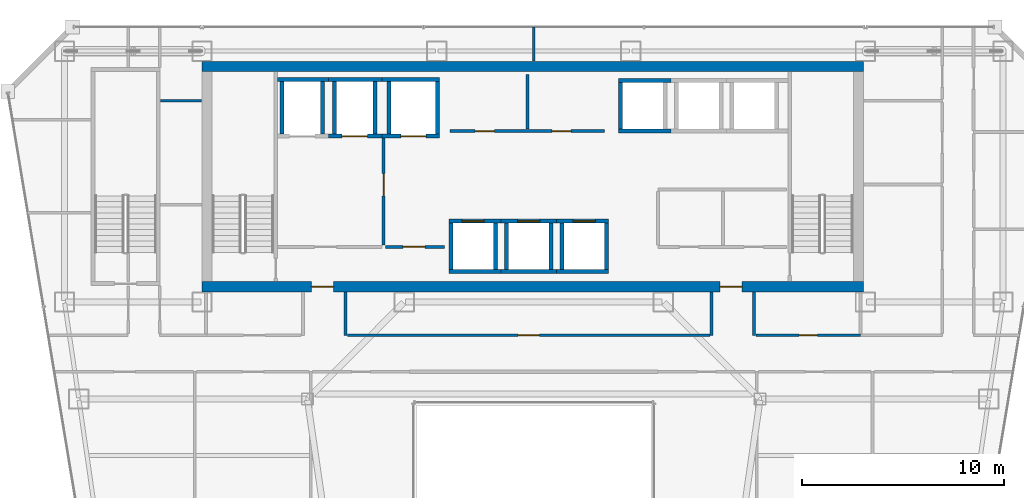
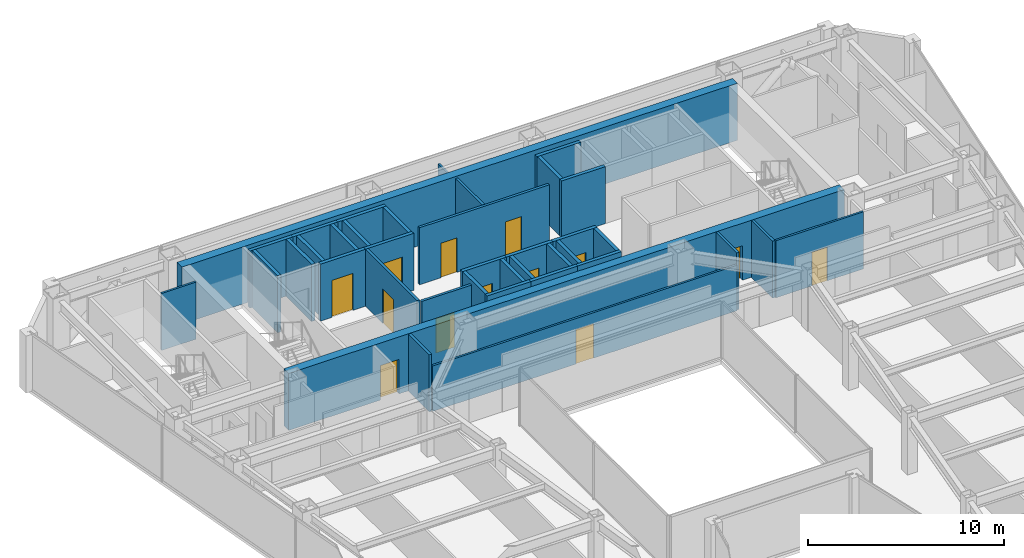
# One storey, part 33 of 38: 39 walls, 13 doors, 13 openings.
"""IFC4 building model written with IfcOpenShell, lengths in metres."""

from ifc_helpers import new_model, si_unit, direction, frame, frame_2d, origin, place, context, subcontext, project, spatial, rectangle, extrude, material, layer, layer_set, type_object, element, fill, save


model = new_model("IFC4")

# Units and contexts
model_context = context("Model", 3, precision=1e-05, world=origin(), true_north=direction((0.0, 1.0)))
body_context = subcontext(model_context, "Body", "Model", "MODEL_VIEW")
ifc_project = project(units=[si_unit("LENGTHUNIT", "METRE"), si_unit("AREAUNIT", "SQUARE_METRE"), si_unit("VOLUMEUNIT", "CUBIC_METRE"), si_unit("PLANEANGLEUNIT", "RADIAN"), si_unit("MASSUNIT", "GRAM", prefix="KILO")], contexts=[model_context])

# Site, building, storey
site_placement = place(None, origin())
site = spatial("IfcSite", under=ifc_project, at=site_placement, CompositionType="ELEMENT")
building_placement = place(site_placement, origin())
building = spatial("IfcBuilding", under=site, at=building_placement, Name="Saevonmaru Cultural Tower", CompositionType="ELEMENT")
storey_placement = place(building_placement, frame((0.0, 0.0, 133.39990234375)))
storey = spatial("IfcBuildingStorey", under=building, at=storey_placement, Name="L28", CompositionType="ELEMENT", Elevation=133.39990234375)

# Wall, openings, doors
ifc_material_1 = material(Name="Concrete C60/75", Category="concrete")
ifc_layer_1 = layer(ifc_material_1, 0.5, Name="Concrete C60/75")
ifc_layer_set_1 = layer_set([ifc_layer_1], Name="Concrete C60/75")
wall_type_1 = type_object("IfcWallType", Name="WL-CORE-500", PredefinedType="SHEAR", material=ifc_layer_set_1)
wall_1_placement = place(storey_placement, frame((13.60009765625, 43.14990234375, 0.0), z_axis=(0.0, 0.0, 1.0), x_axis=(1.0, 0.0, 0.0)))
wall_1 = element("IfcWall", 1, at=wall_1_placement, inside=storey, type_object=wall_type_1, Name="L28 Tower RC core shear wall S", PredefinedType="SHEAR", context=body_context, shape_type="SweptSolid", body=[
    extrude(rectangle(XDim=32.699951171875, YDim=0.5, at=frame_2d((16.35009765625, 0.0))), origin(), (0.0, 0.0, 1.0), 3.550048828125),
])
opening_1_placement = place(wall_1_placement, frame((5.39990234375, 0.0, 0.0)))
opening_1 = element("IfcOpeningElement", 2, at=opening_1_placement, cuts=wall_1, Name="Opening FD-2", PredefinedType="OPENING", context=body_context, shape_type="SweptSolid", body=[
    extrude(rectangle(XDim=1.10009765625, YDim=2.14990234375, at=frame_2d((0.550048828125, 1.074951171875))), frame((0.0, 0.260009765625, 0.0), z_axis=(0.0, -1.0, 0.0), x_axis=(1.0, 0.0, 0.0)), (0.0, 0.0, 1.0), 0.52001953125),
])
opening_2_placement = place(wall_1_placement, frame((25.60009765625, 0.0, 0.0)))
opening_2 = element("IfcOpeningElement", 3, at=opening_2_placement, cuts=wall_1, Name="Opening FD-2", PredefinedType="OPENING", context=body_context, shape_type="SweptSolid", body=[
    extrude(rectangle(XDim=1.10009765625, YDim=2.14990234375, at=frame_2d((0.550048828125, 1.074951171875))), frame((0.0, 0.260009765625, 0.0), z_axis=(0.0, -1.0, 0.0), x_axis=(1.0, 0.0, 0.0)), (0.0, 0.0, 1.0), 0.52001953125),
])
ifc_material_2 = material(Name="Satin Bronze Anodised Aluminium", Category="aluminium")
door_type_1 = type_object("IfcDoorType", Name="DR-FD60-1100", OperationType="SINGLE_SWING_LEFT", PredefinedType="DOOR", material=ifc_material_2)
door_1_placement = place(opening_1_placement, origin())
door_1 = element("IfcDoor", 4, at=door_1_placement, inside=storey, type_object=door_type_1, Name="L28 Core West Lobby Fire Door", OperationType="SINGLE_SWING_LEFT", OverallHeight=2.14990234375, OverallWidth=1.10009765625, PredefinedType="DOOR", context=body_context, shape_type="SweptSolid", body=[
    extrude(rectangle(XDim=1.10009765625, YDim=2.14990234375, at=frame_2d((0.550048828125, 1.074951171875))), frame((0.0, 0.02490234375, 0.0), z_axis=(0.0, -1.0, 0.0), x_axis=(1.0, 0.0, 0.0)), (0.0, 0.0, 1.0), 0.050048828125),
])
fill(opening_1, door_1)
door_2_placement = place(opening_2_placement, origin())
door_2 = element("IfcDoor", 5, at=door_2_placement, inside=storey, type_object=door_type_1, Name="L28 Core East Lobby Fire Door", OperationType="SINGLE_SWING_LEFT", OverallHeight=2.14990234375, OverallWidth=1.10009765625, PredefinedType="DOOR", context=body_context, shape_type="SweptSolid", body=[
    extrude(rectangle(XDim=1.10009765625, YDim=2.14990234375, at=frame_2d((0.550048828125, 1.074951171875))), frame((0.0, 0.02490234375, 0.0), z_axis=(0.0, -1.0, 0.0), x_axis=(1.0, 0.0, 0.0)), (0.0, 0.0, 1.0), 0.050048828125),
])
fill(opening_2, door_2)

# Wall
wall_2_placement = place(storey_placement, frame((13.60009765625, 54.050048828125, 0.0), z_axis=(0.0, 0.0, 1.0), x_axis=(1.0, 0.0, 0.0)))
element("IfcWall", 6, at=wall_2_placement, inside=storey, type_object=wall_type_1, Name="L28 Tower RC core shear wall N", PredefinedType="SHEAR", context=body_context, shape_type="SweptSolid", body=[
    extrude(rectangle(XDim=32.699951171875, YDim=0.5, at=frame_2d((16.35009765625, 0.0))), origin(), (0.0, 0.0, 1.0), 3.550048828125),
])

# Wall, opening, door
ifc_material_3 = material(Name="Gypsum Fireboard Partition", Category="gypsum")
ifc_layer_2 = layer(ifc_material_3, 0.14990234375, Name="Gypsum Fireboard Partition")
ifc_layer_set_2 = layer_set([ifc_layer_2], Name="Gypsum Fireboard Partition")
wall_type_2 = type_object("IfcWallType", Name="WL-CORE-PART-150", PredefinedType="PARTITIONING", material=ifc_layer_set_2)
wall_3_placement = place(storey_placement, frame((22.580078125, 50.550048828125, 0.0), z_axis=(0.0, 0.0, 1.0), x_axis=(0.0, -1.0, 0.0)))
wall_3 = element("IfcWall", 7, at=wall_3_placement, inside=storey, type_object=wall_type_2, Name="L28 Firefighting Lift Lobby East Wall", PredefinedType="PARTITIONING", context=body_context, shape_type="SweptSolid", body=[
    extrude(rectangle(XDim=5.330078125, YDim=0.14990234375, at=frame_2d((2.6650390625, 0.0))), origin(), (0.0, 0.0, 1.0), 3.550048828125),
])
opening_3_placement = place(wall_3_placement, frame((1.800048828125, 0.0, 0.0)))
opening_3 = element("IfcOpeningElement", 8, at=opening_3_placement, cuts=wall_3, Name="Opening FD-2", PredefinedType="OPENING", context=body_context, shape_type="SweptSolid", body=[
    extrude(rectangle(XDim=1.10009765625, YDim=2.14990234375, at=frame_2d((0.550048828125, 1.074951171875))), frame((0.0, 0.0849609375, 0.0), z_axis=(0.0, -1.0, 0.0), x_axis=(1.0, 0.0, 0.0)), (0.0, 0.0, 1.0), 0.169921875),
])
door_3_placement = place(opening_3_placement, origin())
door_3 = element("IfcDoor", 9, at=door_3_placement, inside=storey, type_object=door_type_1, Name="L28 Firefighting Lift Lobby East Door", OperationType="SINGLE_SWING_LEFT", OverallHeight=2.14990234375, OverallWidth=1.10009765625, PredefinedType="DOOR", context=body_context, shape_type="SweptSolid", body=[
    extrude(rectangle(XDim=1.10009765625, YDim=2.14990234375, at=frame_2d((0.550048828125, 1.074951171875))), frame((0.0, 0.02490234375, 0.0), z_axis=(0.0, -1.0, 0.0), x_axis=(1.0, 0.0, 0.0)), (0.0, 0.0, 1.0), 0.050048828125),
])
fill(opening_3, door_3)

wall_4_placement = place(storey_placement, frame((22.679931640625, 45.1201171875, 0.0), z_axis=(0.0, 0.0, 1.0), x_axis=(1.0, 0.0, 0.0)))
wall_4 = element("IfcWall", 10, at=wall_4_placement, inside=storey, type_object=wall_type_2, Name="L28 Service Lift Vestibule Wall", PredefinedType="PARTITIONING", context=body_context, shape_type="SweptSolid", body=[
    extrude(rectangle(XDim=2.920166015625, YDim=0.14990234375, at=frame_2d((1.4599609375, 0.0))), origin(), (0.0, 0.0, 1.0), 3.550048828125),
])
opening_4_placement = place(wall_4_placement, frame((0.85009765625, 0.0, 0.0)))
opening_4 = element("IfcOpeningElement", 11, at=opening_4_placement, cuts=wall_4, Name="Opening FD-2", PredefinedType="OPENING", context=body_context, shape_type="SweptSolid", body=[
    extrude(rectangle(XDim=1.10009765625, YDim=2.14990234375, at=frame_2d((0.550048828125, 1.074951171875))), frame((0.0, 0.0849609375, 0.0), z_axis=(0.0, -1.0, 0.0), x_axis=(1.0, 0.0, 0.0)), (0.0, 0.0, 1.0), 0.169921875),
])
door_4_placement = place(opening_4_placement, origin())
door_4 = element("IfcDoor", 12, at=door_4_placement, inside=storey, type_object=door_type_1, Name="L28 Service Lift Vestibule Door", OperationType="SINGLE_SWING_LEFT", OverallHeight=2.14990234375, OverallWidth=1.10009765625, PredefinedType="DOOR", context=body_context, shape_type="SweptSolid", body=[
    extrude(rectangle(XDim=1.10009765625, YDim=2.14990234375, at=frame_2d((0.550048828125, 1.074951171875))), frame((0.0, 0.02490234375, 0.0), z_axis=(0.0, -1.0, 0.0), x_axis=(1.0, 0.0, 0.0)), (0.0, 0.0, 1.0), 0.050048828125),
])
fill(opening_4, door_4)

# Wall, openings, doors
wall_5_placement = place(storey_placement, frame((25.85009765625, 50.85009765625, 0.0), z_axis=(0.0, 0.0, 1.0), x_axis=(1.0, 0.0, 0.0)))
wall_5 = element("IfcWall", 13, at=wall_5_placement, inside=storey, type_object=wall_type_2, Name="L28 Reclaimed Core Room South Wall", PredefinedType="PARTITIONING", context=body_context, shape_type="SweptSolid", body=[
    extrude(rectangle(XDim=7.64990234375, YDim=0.14990234375, at=frame_2d((3.824951171875, 0.0))), origin(), (0.0, 0.0, 1.0), 3.550048828125),
])
opening_5_placement = place(wall_5_placement, frame((1.25, 0.0, 0.0)))
opening_5 = element("IfcOpeningElement", 14, at=opening_5_placement, cuts=wall_5, Name="Opening FD-4", PredefinedType="OPENING", context=body_context, shape_type="SweptSolid", body=[
    extrude(rectangle(XDim=0.949951171875, YDim=2.14990234375, at=frame_2d((0.47509765625, 1.074951171875))), frame((0.0, 0.0849609375, 0.0), z_axis=(0.0, -1.0, 0.0), x_axis=(1.0, 0.0, 0.0)), (0.0, 0.0, 1.0), 0.169921875),
])
opening_6_placement = place(wall_5_placement, frame((5.050048828125, 0.0, 0.0)))
opening_6 = element("IfcOpeningElement", 15, at=opening_6_placement, cuts=wall_5, Name="Opening FD-4", PredefinedType="OPENING", context=body_context, shape_type="SweptSolid", body=[
    extrude(rectangle(XDim=0.949951171875, YDim=2.14990234375, at=frame_2d((0.47509765625, 1.074951171875))), frame((0.0, 0.0849609375, 0.0), z_axis=(0.0, -1.0, 0.0), x_axis=(1.0, 0.0, 0.0)), (0.0, 0.0, 1.0), 0.169921875),
])
door_type_2 = type_object("IfcDoorType", Name="DR-FD60-950", OperationType="SINGLE_SWING_LEFT", PredefinedType="DOOR", material=ifc_material_2)
door_5_placement = place(opening_5_placement, origin())
door_5 = element("IfcDoor", 16, at=door_5_placement, inside=storey, type_object=door_type_2, Name="L28 Reclaimed Archive Vault Door", OperationType="SINGLE_SWING_LEFT", OverallHeight=2.14990234375, OverallWidth=0.949951171875, PredefinedType="DOOR", context=body_context, shape_type="SweptSolid", body=[
    extrude(rectangle(XDim=0.949951171875, YDim=2.14990234375, at=frame_2d((0.47509765625, 1.074951171875))), frame((0.0, 0.02490234375, 0.0), z_axis=(0.0, -1.0, 0.0), x_axis=(1.0, 0.0, 0.0)), (0.0, 0.0, 1.0), 0.050048828125),
])
fill(opening_5, door_5)
door_6_placement = place(opening_6_placement, origin())
door_6 = element("IfcDoor", 17, at=door_6_placement, inside=storey, type_object=door_type_2, Name="L28 Reclaimed Conservation Storage Door", OperationType="SINGLE_SWING_LEFT", OverallHeight=2.14990234375, OverallWidth=0.949951171875, PredefinedType="DOOR", context=body_context, shape_type="SweptSolid", body=[
    extrude(rectangle(XDim=0.949951171875, YDim=2.14990234375, at=frame_2d((0.47509765625, 1.074951171875))), frame((0.0, 0.02490234375, 0.0), z_axis=(0.0, -1.0, 0.0), x_axis=(1.0, 0.0, 0.0)), (0.0, 0.0, 1.0), 0.050048828125),
])
fill(opening_6, door_6)

# Walls
wall_6_placement = place(storey_placement, frame((29.699951171875, 50.949951171875, 0.0), z_axis=(0.0, 0.0, 1.0), x_axis=(0.0, 1.0, 0.0)))
element("IfcWall", 18, at=wall_6_placement, inside=storey, type_object=wall_type_2, Name="L28 Reclaimed Vault Split", PredefinedType="PARTITIONING", context=body_context, shape_type="SweptSolid", body=[
    extrude(rectangle(XDim=2.699951171875, YDim=0.14990234375, at=frame_2d((1.35009765625, 0.0))), origin(), (0.0, 0.0, 1.0), 3.550048828125),
])
ifc_layer_3 = layer(ifc_material_3, 0.14990234375, Name="Gypsum Fireboard Partition")
ifc_layer_set_3 = layer_set([ifc_layer_3], Name="Gypsum Fireboard Partition")
wall_type_3 = type_object("IfcWallType", Name="WL-PART-FIRE-150", PredefinedType="PARTITIONING", material=ifc_layer_set_3)
for number, where, z_axis, x_axis, name in (
    (19, (20.699951171875, 40.75, 0.0), (0.0, 0.0, 1.0), (0.0, 1.0, 0.0), "L28 Core Portal Side Wall W2"),
    (20, (38.800048828125, 40.75, 0.0), (0.0, 0.0, 1.0), (0.0, 1.0, 0.0), "L28 Core Portal Side Wall E1"),
    (21, (40.89990234375, 40.75, 0.0), (0.0, 0.0, 1.0), (0.0, 1.0, 0.0), "L28 Core Portal Side Wall E2"),
):
    element("IfcWall", number, at=place(storey_placement, frame(where, z_axis=z_axis, x_axis=x_axis)), inside=storey, type_object=wall_type_3, Name=name, PredefinedType="PARTITIONING", context=body_context, shape_type="SweptSolid", body=[
        extrude(rectangle(XDim=2.1298828125, YDim=0.14990234375, at=frame_2d((1.06494140625, 0.0))), origin(), (0.0, 0.0, 1.0), 3.550048828125),
    ])
ifc_layer_4 = layer(ifc_material_3, 0.1201171875, Name="Gypsum Fireboard Partition")
ifc_layer_set_4 = layer_set([ifc_layer_4], Name="Gypsum Fireboard Partition")
wall_type_4 = type_object("IfcWallType", Name="WL-PART-GYP-120", PredefinedType="PARTITIONING", material=ifc_layer_set_4)
wall_7_placement = place(storey_placement, frame((11.550048828125, 52.35009765625, 0.0), z_axis=(0.0, 0.0, 1.0), x_axis=(1.0, 0.0, 0.0)))
element("IfcWall", 22, at=wall_7_placement, inside=storey, type_object=wall_type_4, Name="L28 North-West Panorama South Wall", PredefinedType="PARTITIONING", context=body_context, shape_type="SweptSolid", body=[
    extrude(rectangle(XDim=2.030029296875, YDim=0.1201171875, at=frame_2d((1.01513671875, 0.0))), origin(), (0.0, 0.0, 1.0), 3.550048828125),
])
wall_8_placement = place(storey_placement, frame((30.0, 54.320068359375, 0.0), z_axis=(0.0, 0.0, 1.0), x_axis=(0.0, 1.0, 0.0)))
element("IfcWall", 23, at=wall_8_placement, inside=storey, type_object=wall_type_4, Name="L28 North Panorama Center Split", PredefinedType="PARTITIONING", context=body_context, shape_type="SweptSolid", body=[
    extrude(rectangle(XDim=1.675048828125, YDim=0.1201171875, at=frame_2d((0.83740234375, 0.0))), origin(), (0.0, 0.0, 1.0), 2.93505859375),
])

# Wall, opening, door
wall_9_placement = place(storey_placement, frame((20.794921875, 40.75, 0.0), z_axis=(0.0, 0.0, 1.0), x_axis=(1.0, 0.0, 0.0)))
wall_9 = element("IfcWall", 24, at=wall_9_placement, inside=storey, type_object=wall_type_4, Name="L28 Art History Reading Room Corridor Wall", PredefinedType="PARTITIONING", context=body_context, shape_type="SweptSolid", body=[
    extrude(rectangle(XDim=17.91015625, YDim=0.1201171875, at=frame_2d((8.955078125, 0.0))), origin(), (0.0, 0.0, 1.0), 2.835205078125),
])
opening_7_placement = place(wall_9_placement, frame((8.429931640625, 0.0, 0.0)))
opening_7 = element("IfcOpeningElement", 25, at=opening_7_placement, cuts=wall_9, Name="Opening ID-1", PredefinedType="OPENING", context=body_context, shape_type="SweptSolid", body=[
    extrude(rectangle(XDim=1.050048828125, YDim=2.14990234375, at=frame_2d((0.52490234375, 1.074951171875))), frame((0.0, 0.070068359375, 0.0), z_axis=(0.0, -1.0, 0.0), x_axis=(1.0, 0.0, 0.0)), (0.0, 0.0, 1.0), 0.14013671875),
])
door_type_3 = type_object("IfcDoorType", Name="DR-INT-1050", OperationType="SINGLE_SWING_LEFT", PredefinedType="DOOR", material=ifc_material_2)
door_7_placement = place(opening_7_placement, origin())
door_7 = element("IfcDoor", 26, at=door_7_placement, inside=storey, type_object=door_type_3, Name="L28 Art History Reading Room Door", OperationType="SINGLE_SWING_LEFT", OverallHeight=2.14990234375, OverallWidth=1.050048828125, PredefinedType="DOOR", context=body_context, shape_type="SweptSolid", body=[
    extrude(rectangle(XDim=1.050048828125, YDim=2.14990234375, at=frame_2d((0.52490234375, 1.074951171875))), frame((0.0, 0.02490234375, 0.0), z_axis=(0.0, -1.0, 0.0), x_axis=(1.0, 0.0, 0.0)), (0.0, 0.0, 1.0), 0.050048828125),
])
fill(opening_7, door_7)

wall_10_placement = place(storey_placement, frame((40.9951171875, 40.75, 0.0), z_axis=(0.0, 0.0, 1.0), x_axis=(1.0, 0.0, 0.0)))
wall_10 = element("IfcWall", 27, at=wall_10_placement, inside=storey, type_object=wall_type_4, Name="L28 Typography Design Classroom Corridor Wall", PredefinedType="PARTITIONING", context=body_context, shape_type="SweptSolid", body=[
    extrude(rectangle(XDim=5.15478515625, YDim=0.1201171875, at=frame_2d((2.577392578125, 0.0))), origin(), (0.0, 0.0, 1.0), 3.550048828125),
])
opening_8_placement = place(wall_10_placement, frame((2.1279296875, 0.0, 0.0)))
opening_8 = element("IfcOpeningElement", 28, at=opening_8_placement, cuts=wall_10, Name="Opening ID-2", PredefinedType="OPENING", context=body_context, shape_type="SweptSolid", body=[
    extrude(rectangle(XDim=0.89990234375, YDim=2.10009765625, at=frame_2d((0.449951171875, 1.050048828125))), frame((0.0, 0.070068359375, 0.0), z_axis=(0.0, -1.0, 0.0), x_axis=(1.0, 0.0, 0.0)), (0.0, 0.0, 1.0), 0.14013671875),
])
ifc_material_4 = material(Name="Acoustic Stained Oak Timber", Category="wood")
door_type_4 = type_object("IfcDoorType", Name="DR-INT-900", OperationType="SINGLE_SWING_RIGHT", PredefinedType="DOOR", material=ifc_material_4)
door_8_placement = place(opening_8_placement, origin())
door_8 = element("IfcDoor", 29, at=door_8_placement, inside=storey, type_object=door_type_4, Name="L28 Typography Design Classroom Door", OperationType="SINGLE_SWING_RIGHT", OverallHeight=2.10009765625, OverallWidth=0.89990234375, PredefinedType="DOOR", context=body_context, shape_type="SweptSolid", body=[
    extrude(rectangle(XDim=0.89990234375, YDim=2.10009765625, at=frame_2d((0.449951171875, 1.050048828125))), frame((0.0, 0.02490234375, 0.0), z_axis=(0.0, -1.0, 0.0), x_axis=(1.0, 0.0, 0.0)), (0.0, 0.0, 1.0), 0.050048828125),
])
fill(opening_8, door_8)

# Walls
ifc_material_5 = material(Name="Concrete C40/50", Category="concrete")
ifc_layer_5 = layer(ifc_material_5, 0.199951171875, Name="Concrete C40/50")
ifc_layer_set_5 = layer_set([ifc_layer_5], Name="Concrete C40/50")
wall_type_5 = type_object("IfcWallType", Name="WL-SHAFT-200", PredefinedType="SHEAR", material=ifc_layer_set_5)
wall_11_placement = place(storey_placement, frame((17.330078125, 53.39990234375, 0.0), z_axis=(0.0, 0.0, 1.0), x_axis=(1.0, 0.0, 0.0)))
element("IfcWall", 30, at=wall_11_placement, inside=storey, type_object=wall_type_5, Name="L28 Lift FFL-1 Hoistway Wall N", PredefinedType="SHEAR", context=body_context, shape_type="SweptSolid", body=[
    extrude(rectangle(XDim=2.52001953125, YDim=0.199951171875, at=frame_2d((1.260009765625, 0.0))), origin(), (0.0, 0.0, 1.0), 3.550048828125),
])
for number, where, z_axis, x_axis, name in (
    (31, (17.550048828125, 50.699951171875, 0.0), (0.0, 0.0, 1.0), (0.0, 1.0, 0.0), "L28 Lift FFL-1 Hoistway Wall W"),
    (32, (19.550048828125, 50.699951171875, 0.0), (0.0, 0.0, 1.0), (0.0, 1.0, 0.0), "L28 Lift FFL-1 Hoistway Wall E"),
):
    element("IfcWall", number, at=place(storey_placement, frame(where, z_axis=z_axis, x_axis=x_axis)), inside=storey, type_object=wall_type_5, Name=name, PredefinedType="SHEAR", context=body_context, shape_type="SweptSolid", body=[
        extrude(rectangle(XDim=2.60009765625, YDim=0.199951171875, at=frame_2d((1.300048828125, 0.0))), origin(), (0.0, 0.0, 1.0), 3.550048828125),
    ])

# Wall, opening, door
wall_12_placement = place(storey_placement, frame((19.85009765625, 50.60009765625, 0.0), z_axis=(0.0, 0.0, 1.0), x_axis=(1.0, 0.0, 0.0)))
wall_12 = element("IfcWall", 33, at=wall_12_placement, inside=storey, type_object=wall_type_5, Name="L28 Lift FFL-2 Hoistway Wall S", PredefinedType="SHEAR", context=body_context, shape_type="SweptSolid", body=[
    extrude(rectangle(XDim=2.64990234375, YDim=0.199951171875, at=frame_2d((1.324951171875, 0.0))), origin(), (0.0, 0.0, 1.0), 3.550048828125),
])
opening_9_placement = place(wall_12_placement, frame((0.675048828125, 0.0, 0.0)))
opening_9 = element("IfcOpeningElement", 34, at=opening_9_placement, cuts=wall_12, Name="Opening LD-2", PredefinedType="OPENING", context=body_context, shape_type="SweptSolid", body=[
    extrude(rectangle(XDim=1.25, YDim=2.300048828125, at=frame_2d((0.625, 1.14990234375))), frame((0.0, 0.10986328125, 0.0), z_axis=(0.0, -1.0, 0.0), x_axis=(1.0, 0.0, 0.0)), (0.0, 0.0, 1.0), 0.219970703125),
])
ifc_material_6 = material(Name="Stainless Steel 316", Category="steel")
door_type_5 = type_object("IfcDoorType", Name="DR-LIFT-1250", OperationType="SLIDING_TO_LEFT", PredefinedType="DOOR", material=ifc_material_6)
door_9_placement = place(opening_9_placement, origin())
door_9 = element("IfcDoor", 35, at=door_9_placement, inside=storey, type_object=door_type_5, Name="L28 Lift FFL-2 Sliding Landing Door", OperationType="SLIDING_TO_LEFT", OverallHeight=2.300048828125, OverallWidth=1.25, PredefinedType="DOOR", context=body_context, shape_type="SweptSolid", body=[
    extrude(rectangle(XDim=1.25, YDim=2.300048828125, at=frame_2d((0.625, 1.14990234375))), frame((0.0, 0.02490234375, 0.0), z_axis=(0.0, -1.0, 0.0), x_axis=(1.0, 0.0, 0.0)), (0.0, 0.0, 1.0), 0.050048828125),
])
fill(opening_9, door_9)

# Walls
wall_13_placement = place(storey_placement, frame((19.85009765625, 53.39990234375, 0.0), z_axis=(0.0, 0.0, 1.0), x_axis=(1.0, 0.0, 0.0)))
element("IfcWall", 36, at=wall_13_placement, inside=storey, type_object=wall_type_5, Name="L28 Lift FFL-2 Hoistway Wall N", PredefinedType="SHEAR", context=body_context, shape_type="SweptSolid", body=[
    extrude(rectangle(XDim=2.64990234375, YDim=0.199951171875, at=frame_2d((1.324951171875, 0.0))), origin(), (0.0, 0.0, 1.0), 3.550048828125),
])
for number, where, z_axis, x_axis, name in (
    (37, (20.14990234375, 50.699951171875, 0.0), (0.0, 0.0, 1.0), (0.0, 1.0, 0.0), "L28 Lift FFL-2 Hoistway Wall W"),
    (38, (22.14990234375, 50.699951171875, 0.0), (0.0, 0.0, 1.0), (0.0, 1.0, 0.0), "L28 Lift FFL-2 Hoistway Wall E"),
):
    element("IfcWall", number, at=place(storey_placement, frame(where, z_axis=z_axis, x_axis=x_axis)), inside=storey, type_object=wall_type_5, Name=name, PredefinedType="SHEAR", context=body_context, shape_type="SweptSolid", body=[
        extrude(rectangle(XDim=2.60009765625, YDim=0.199951171875, at=frame_2d((1.300048828125, 0.0))), origin(), (0.0, 0.0, 1.0), 3.550048828125),
    ])

# Wall, opening, door
wall_14_placement = place(storey_placement, frame((22.5, 50.60009765625, 0.0), z_axis=(0.0, 0.0, 1.0), x_axis=(1.0, 0.0, 0.0)))
wall_14 = element("IfcWall", 39, at=wall_14_placement, inside=storey, type_object=wall_type_5, Name="L28 Lift GL-1 Hoistway Wall S", PredefinedType="SHEAR", context=body_context, shape_type="SweptSolid", body=[
    extrude(rectangle(XDim=2.85009765625, YDim=0.199951171875, at=frame_2d((1.425048828125, 0.0))), origin(), (0.0, 0.0, 1.0), 3.550048828125),
])
opening_10_placement = place(wall_14_placement, frame((0.925048828125, 0.0, 0.0)))
opening_10 = element("IfcOpeningElement", 40, at=opening_10_placement, cuts=wall_14, Name="Opening LD-2", PredefinedType="OPENING", context=body_context, shape_type="SweptSolid", body=[
    extrude(rectangle(XDim=1.25, YDim=2.300048828125, at=frame_2d((0.625, 1.14990234375))), frame((0.0, 0.10986328125, 0.0), z_axis=(0.0, -1.0, 0.0), x_axis=(1.0, 0.0, 0.0)), (0.0, 0.0, 1.0), 0.219970703125),
])
door_10_placement = place(opening_10_placement, origin())
door_10 = element("IfcDoor", 41, at=door_10_placement, inside=storey, type_object=door_type_5, Name="L28 Lift GL-1 Sliding Landing Door", OperationType="SLIDING_TO_LEFT", OverallHeight=2.300048828125, OverallWidth=1.25, PredefinedType="DOOR", context=body_context, shape_type="SweptSolid", body=[
    extrude(rectangle(XDim=1.25, YDim=2.300048828125, at=frame_2d((0.625, 1.14990234375))), frame((0.0, 0.02490234375, 0.0), z_axis=(0.0, -1.0, 0.0), x_axis=(1.0, 0.0, 0.0)), (0.0, 0.0, 1.0), 0.050048828125),
])
fill(opening_10, door_10)

# Walls
wall_15_placement = place(storey_placement, frame((22.5, 53.39990234375, 0.0), z_axis=(0.0, 0.0, 1.0), x_axis=(1.0, 0.0, 0.0)))
element("IfcWall", 42, at=wall_15_placement, inside=storey, type_object=wall_type_5, Name="L28 Lift GL-1 Hoistway Wall N", PredefinedType="SHEAR", context=body_context, shape_type="SweptSolid", body=[
    extrude(rectangle(XDim=2.85009765625, YDim=0.199951171875, at=frame_2d((1.425048828125, 0.0))), origin(), (0.0, 0.0, 1.0), 3.550048828125),
])
for number, where, z_axis, x_axis, name in (
    (43, (22.85009765625, 50.699951171875, 0.0), (0.0, 0.0, 1.0), (0.0, 1.0, 0.0), "L28 Lift GL-1 Hoistway Wall W"),
    (44, (25.25, 50.699951171875, 0.0), (0.0, 0.0, 1.0), (0.0, 1.0, 0.0), "L28 Lift GL-1 Hoistway Wall E"),
):
    element("IfcWall", number, at=place(storey_placement, frame(where, z_axis=z_axis, x_axis=x_axis)), inside=storey, type_object=wall_type_5, Name=name, PredefinedType="SHEAR", context=body_context, shape_type="SweptSolid", body=[
        extrude(rectangle(XDim=2.60009765625, YDim=0.199951171875, at=frame_2d((1.300048828125, 0.0))), origin(), (0.0, 0.0, 1.0), 3.550048828125),
    ])
wall_16_placement = place(storey_placement, frame((25.800048828125, 43.89990234375, 0.0), z_axis=(0.0, 0.0, 1.0), x_axis=(1.0, 0.0, 0.0)))
element("IfcWall", 45, at=wall_16_placement, inside=storey, type_object=wall_type_5, Name="L28 Lift PL-M1 Hoistway Wall S", PredefinedType="SHEAR", context=body_context, shape_type="SweptSolid", body=[
    extrude(rectangle(XDim=2.574951171875, YDim=0.199951171875, at=frame_2d((1.28759765625, 0.0))), origin(), (0.0, 0.0, 1.0), 3.550048828125),
])

# Wall, opening, door
wall_17_placement = place(storey_placement, frame((25.800048828125, 46.39990234375, 0.0), z_axis=(0.0, 0.0, 1.0), x_axis=(1.0, 0.0, 0.0)))
wall_17 = element("IfcWall", 46, at=wall_17_placement, inside=storey, type_object=wall_type_5, Name="L28 Lift PL-M1 Hoistway Wall N", PredefinedType="SHEAR", context=body_context, shape_type="SweptSolid", body=[
    extrude(rectangle(XDim=2.574951171875, YDim=0.199951171875, at=frame_2d((1.28759765625, 0.0))), origin(), (0.0, 0.0, 1.0), 3.550048828125),
])
opening_11_placement = place(wall_17_placement, frame((0.64990234375, 0.0, 0.0)))
opening_11 = element("IfcOpeningElement", 47, at=opening_11_placement, cuts=wall_17, Name="Opening LD-1", PredefinedType="OPENING", context=body_context, shape_type="SweptSolid", body=[
    extrude(rectangle(XDim=1.10009765625, YDim=2.199951171875, at=frame_2d((0.550048828125, 1.10009765625))), frame((0.0, 0.10986328125, 0.0), z_axis=(0.0, -1.0, 0.0), x_axis=(1.0, 0.0, 0.0)), (0.0, 0.0, 1.0), 0.219970703125),
])
ifc_material_7 = material(Name="Satin Bronze Stainless Steel", Category="steel")
door_type_6 = type_object("IfcDoorType", Name="DR-LIFT-1100", OperationType="SLIDING_TO_LEFT", PredefinedType="DOOR", material=ifc_material_7)
door_11_placement = place(opening_11_placement, origin())
door_11 = element("IfcDoor", 48, at=door_11_placement, inside=storey, type_object=door_type_6, Name="L28 Lift PL-M1 Sliding Landing Door", OperationType="SLIDING_TO_LEFT", OverallHeight=2.199951171875, OverallWidth=1.10009765625, PredefinedType="DOOR", context=body_context, shape_type="SweptSolid", body=[
    extrude(rectangle(XDim=1.10009765625, YDim=2.199951171875, at=frame_2d((0.550048828125, 1.10009765625))), frame((0.0, 0.02490234375, 0.0), z_axis=(0.0, -1.0, 0.0), x_axis=(1.0, 0.0, 0.0)), (0.0, 0.0, 1.0), 0.050048828125),
])
fill(opening_11, door_11)

# Walls
for number, where, z_axis, x_axis, name in (
    (49, (25.89990234375, 44.0, 0.0), (0.0, 0.0, 1.0), (0.0, 1.0, 0.0), "L28 Lift PL-M1 Hoistway Wall W"),
    (50, (28.10009765625, 44.0, 0.0), (0.0, 0.0, 1.0), (0.0, 1.0, 0.0), "L28 Lift PL-M1 Hoistway Wall E"),
):
    element("IfcWall", number, at=place(storey_placement, frame(where, z_axis=z_axis, x_axis=x_axis)), inside=storey, type_object=wall_type_5, Name=name, PredefinedType="SHEAR", context=body_context, shape_type="SweptSolid", body=[
        extrude(rectangle(XDim=2.300048828125, YDim=0.199951171875, at=frame_2d((1.14990234375, 0.0))), origin(), (0.0, 0.0, 1.0), 3.550048828125),
    ])
wall_18_placement = place(storey_placement, frame((28.375, 43.89990234375, 0.0), z_axis=(0.0, 0.0, 1.0), x_axis=(1.0, 0.0, 0.0)))
element("IfcWall", 51, at=wall_18_placement, inside=storey, type_object=wall_type_5, Name="L28 Lift PL-M2 Hoistway Wall S", PredefinedType="SHEAR", context=body_context, shape_type="SweptSolid", body=[
    extrude(rectangle(XDim=2.75, YDim=0.199951171875, at=frame_2d((1.375, 0.0))), origin(), (0.0, 0.0, 1.0), 3.550048828125),
])

# Wall, opening, door
wall_19_placement = place(storey_placement, frame((28.375, 46.39990234375, 0.0), z_axis=(0.0, 0.0, 1.0), x_axis=(1.0, 0.0, 0.0)))
wall_19 = element("IfcWall", 52, at=wall_19_placement, inside=storey, type_object=wall_type_5, Name="L28 Lift PL-M2 Hoistway Wall N", PredefinedType="SHEAR", context=body_context, shape_type="SweptSolid", body=[
    extrude(rectangle(XDim=2.75, YDim=0.199951171875, at=frame_2d((1.375, 0.0))), origin(), (0.0, 0.0, 1.0), 3.550048828125),
])
opening_12_placement = place(wall_19_placement, frame((0.824951171875, 0.0, 0.0)))
opening_12 = element("IfcOpeningElement", 53, at=opening_12_placement, cuts=wall_19, Name="Opening LD-1", PredefinedType="OPENING", context=body_context, shape_type="SweptSolid", body=[
    extrude(rectangle(XDim=1.10009765625, YDim=2.199951171875, at=frame_2d((0.550048828125, 1.10009765625))), frame((0.0, 0.10986328125, 0.0), z_axis=(0.0, -1.0, 0.0), x_axis=(1.0, 0.0, 0.0)), (0.0, 0.0, 1.0), 0.219970703125),
])
door_12_placement = place(opening_12_placement, origin())
door_12 = element("IfcDoor", 54, at=door_12_placement, inside=storey, type_object=door_type_6, Name="L28 Lift PL-M2 Sliding Landing Door", OperationType="SLIDING_TO_LEFT", OverallHeight=2.199951171875, OverallWidth=1.10009765625, PredefinedType="DOOR", context=body_context, shape_type="SweptSolid", body=[
    extrude(rectangle(XDim=1.10009765625, YDim=2.199951171875, at=frame_2d((0.550048828125, 1.10009765625))), frame((0.0, 0.02490234375, 0.0), z_axis=(0.0, -1.0, 0.0), x_axis=(1.0, 0.0, 0.0)), (0.0, 0.0, 1.0), 0.050048828125),
])
fill(opening_12, door_12)

# Walls
for number, where, z_axis, x_axis, name in (
    (55, (28.64990234375, 44.0, 0.0), (0.0, 0.0, 1.0), (0.0, 1.0, 0.0), "L28 Lift PL-M2 Hoistway Wall W"),
    (56, (30.85009765625, 44.0, 0.0), (0.0, 0.0, 1.0), (0.0, 1.0, 0.0), "L28 Lift PL-M2 Hoistway Wall E"),
):
    element("IfcWall", number, at=place(storey_placement, frame(where, z_axis=z_axis, x_axis=x_axis)), inside=storey, type_object=wall_type_5, Name=name, PredefinedType="SHEAR", context=body_context, shape_type="SweptSolid", body=[
        extrude(rectangle(XDim=2.300048828125, YDim=0.199951171875, at=frame_2d((1.14990234375, 0.0))), origin(), (0.0, 0.0, 1.0), 3.550048828125),
    ])
wall_20_placement = place(storey_placement, frame((31.125, 43.89990234375, 0.0), z_axis=(0.0, 0.0, 1.0), x_axis=(1.0, 0.0, 0.0)))
element("IfcWall", 57, at=wall_20_placement, inside=storey, type_object=wall_type_5, Name="L28 Lift PL-M3 Hoistway Wall S", PredefinedType="SHEAR", context=body_context, shape_type="SweptSolid", body=[
    extrude(rectangle(XDim=2.574951171875, YDim=0.199951171875, at=frame_2d((1.28759765625, 0.0))), origin(), (0.0, 0.0, 1.0), 3.550048828125),
])

# Wall, opening, door
wall_21_placement = place(storey_placement, frame((31.125, 46.39990234375, 0.0), z_axis=(0.0, 0.0, 1.0), x_axis=(1.0, 0.0, 0.0)))
wall_21 = element("IfcWall", 58, at=wall_21_placement, inside=storey, type_object=wall_type_5, Name="L28 Lift PL-M3 Hoistway Wall N", PredefinedType="SHEAR", context=body_context, shape_type="SweptSolid", body=[
    extrude(rectangle(XDim=2.574951171875, YDim=0.199951171875, at=frame_2d((1.28759765625, 0.0))), origin(), (0.0, 0.0, 1.0), 3.550048828125),
])
opening_13_placement = place(wall_21_placement, frame((0.824951171875, 0.0, 0.0)))
opening_13 = element("IfcOpeningElement", 59, at=opening_13_placement, cuts=wall_21, Name="Opening LD-1", PredefinedType="OPENING", context=body_context, shape_type="SweptSolid", body=[
    extrude(rectangle(XDim=1.10009765625, YDim=2.199951171875, at=frame_2d((0.550048828125, 1.10009765625))), frame((0.0, 0.10986328125, 0.0), z_axis=(0.0, -1.0, 0.0), x_axis=(1.0, 0.0, 0.0)), (0.0, 0.0, 1.0), 0.219970703125),
])
door_13_placement = place(opening_13_placement, origin())
door_13 = element("IfcDoor", 60, at=door_13_placement, inside=storey, type_object=door_type_6, Name="L28 Lift PL-M3 Sliding Landing Door", OperationType="SLIDING_TO_LEFT", OverallHeight=2.199951171875, OverallWidth=1.10009765625, PredefinedType="DOOR", context=body_context, shape_type="SweptSolid", body=[
    extrude(rectangle(XDim=1.10009765625, YDim=2.199951171875, at=frame_2d((0.550048828125, 1.10009765625))), frame((0.0, 0.02490234375, 0.0), z_axis=(0.0, -1.0, 0.0), x_axis=(1.0, 0.0, 0.0)), (0.0, 0.0, 1.0), 0.050048828125),
])
fill(opening_13, door_13)

# Walls
for number, where, z_axis, x_axis, name in (
    (61, (31.39990234375, 44.0, 0.0), (0.0, 0.0, 1.0), (0.0, 1.0, 0.0), "L28 Lift PL-M3 Hoistway Wall W"),
    (62, (33.60009765625, 44.0, 0.0), (0.0, 0.0, 1.0), (0.0, 1.0, 0.0), "L28 Lift PL-M3 Hoistway Wall E"),
):
    element("IfcWall", number, at=place(storey_placement, frame(where, z_axis=z_axis, x_axis=x_axis)), inside=storey, type_object=wall_type_5, Name=name, PredefinedType="SHEAR", context=body_context, shape_type="SweptSolid", body=[
        extrude(rectangle(XDim=2.300048828125, YDim=0.199951171875, at=frame_2d((1.14990234375, 0.0))), origin(), (0.0, 0.0, 1.0), 3.550048828125),
    ])
for number, where, z_axis, x_axis, name in (
    (63, (34.199951171875, 50.85009765625, 0.0), (0.0, 0.0, 1.0), (1.0, 0.0, 0.0), "L28 Lift PL-H1 Hoistway Wall S"),
    (64, (34.199951171875, 53.35009765625, 0.0), (0.0, 0.0, 1.0), (1.0, 0.0, 0.0), "L28 Lift PL-H1 Hoistway Wall N"),
):
    element("IfcWall", number, at=place(storey_placement, frame(where, z_axis=z_axis, x_axis=x_axis)), inside=storey, type_object=wall_type_5, Name=name, PredefinedType="SHEAR", context=body_context, shape_type="SweptSolid", body=[
        extrude(rectangle(XDim=2.574951171875, YDim=0.199951171875, at=frame_2d((1.28759765625, 0.0))), origin(), (0.0, 0.0, 1.0), 3.550048828125),
    ])
wall_22_placement = place(storey_placement, frame((34.300048828125, 50.949951171875, 0.0), z_axis=(0.0, 0.0, 1.0), x_axis=(0.0, 1.0, 0.0)))
element("IfcWall", 65, at=wall_22_placement, inside=storey, type_object=wall_type_5, Name="L28 Lift PL-H1 Hoistway Wall W", PredefinedType="SHEAR", context=body_context, shape_type="SweptSolid", body=[
    extrude(rectangle(XDim=2.300048828125, YDim=0.199951171875, at=frame_2d((1.14990234375, 0.0))), origin(), (0.0, 0.0, 1.0), 3.550048828125),
])

save(model, "model.ifc")
